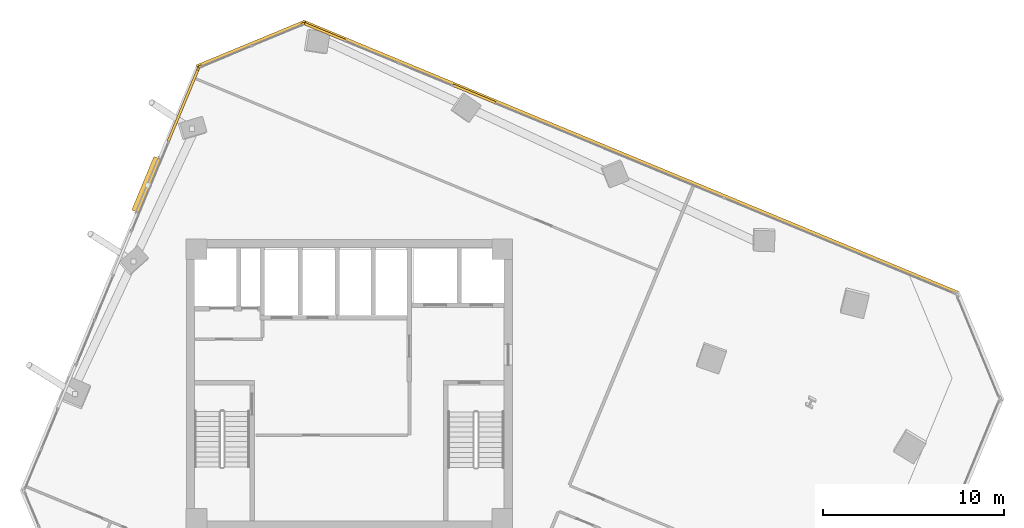
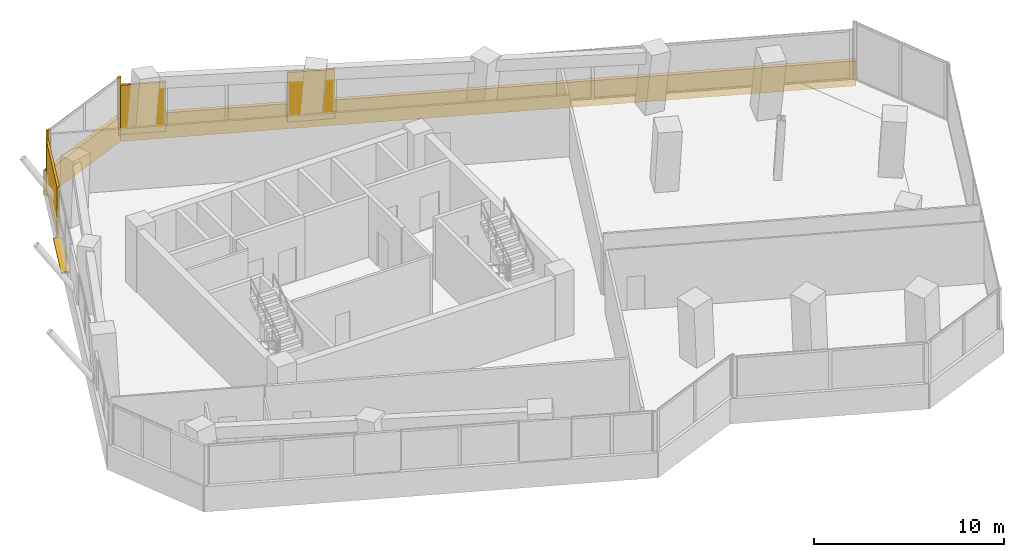
# One storey, part 22 of 22: 8 coverings, 1 shading device.
"""IFC4 building model written with IfcOpenShell, lengths in metres."""

from ifc_helpers import new_model, si_unit, direction, frame, origin, origin_2d, place, context, subcontext, project, spatial, rectangle, extrude, source, transform, mapped, material, layer, layer_set, type_object, element, save


model = new_model("IFC4")

# Units and contexts
model_context = context("Model", 3, precision=1e-05, world=origin(), true_north=direction((0.0, 1.0)))
body_context = subcontext(model_context, "Body", "Model", "MODEL_VIEW")
ifc_project = project(units=[si_unit("LENGTHUNIT", "METRE"), si_unit("AREAUNIT", "SQUARE_METRE"), si_unit("VOLUMEUNIT", "CUBIC_METRE"), si_unit("PLANEANGLEUNIT", "RADIAN"), si_unit("MASSUNIT", "GRAM", prefix="KILO")], contexts=[model_context])

# Site, building, storey
site_placement = place(None, origin())
site = spatial("IfcSite", under=ifc_project, at=site_placement, CompositionType="ELEMENT")
building_placement = place(site_placement, origin())
building = spatial("IfcBuilding", under=site, at=building_placement, Name="Torre Montelarca", CompositionType="ELEMENT")
storey_placement = place(building_placement, frame((0.0, 0.0, 149.800048828125)))
storey = spatial("IfcBuildingStorey", under=building, at=storey_placement, Name="L33", CompositionType="ELEMENT", Elevation=149.800048828125)

# Covering
ifc_material_1 = material(Name="Bush-hammered warm white precast concrete C45/55", Category="concrete")
ifc_layer_1 = layer(ifc_material_1, 0.139892578125, Name="Bush-hammered warm white precast concrete C45/55", Category="concrete")
ifc_layer_set_1 = layer_set([ifc_layer_1], Name="Bush-hammered warm white precast concrete C45/55")
covering_type = type_object("IfcCoveringType", Name="COV-TRAY-CLAD", PredefinedType="CLADDING", material=ifc_layer_set_1)
shared_shape_1 = source(origin(), body_context, "Body", "SweptSolid", [
    extrude(rectangle(XDim=6.48388671875, YDim=0.219970703125, at=origin_2d()), origin(), (0.0, 0.0, 1.0), 1.6201171875),
])
covering_1_placement = place(storey_placement, frame((12.575927734375, 50.77294921875, -0.4501953125), z_axis=(0.0, 0.0, 1.0), x_axis=(-0.923880200418, -0.382681819891, 0.0)))
element("IfcCovering", 1, at=covering_1_placement, inside=storey, type_object=covering_type, Name="L33 Architectural White Spandrel Tray Band TRYBOT-09", PredefinedType="CLADDING", context=body_context, shape_type="MappedRepresentation", body=[
    mapped(shared_shape_1, transform((0.0, 0.0, 0.0), scale=1.0)),
])

# Shading device
ifc_material_2 = material(Name="Anodised champagne bronze aluminium AA 6063-T6", Category="aluminium")
ifc_layer_2 = layer(ifc_material_2, 0.070068359375, Name="Anodised champagne bronze aluminium AA 6063-T6", Category="aluminium")
ifc_layer_set_2 = layer_set([ifc_layer_2], Name="Anodised champagne bronze aluminium AA 6063-T6")
shading_device_type = type_object("IfcShadingDeviceType", Name="SHD-SUNSHADE-1", PredefinedType="USERDEFINED", material=ifc_layer_set_2)
shared_shape_2 = source(origin(), body_context, "Body", "SweptSolid", [
    extrude(rectangle(XDim=3.199951171875, YDim=0.47998046875, at=origin_2d()), origin(), (0.0, 0.0, 1.0), 0.10009765625),
])
shading_device_placement = place(storey_placement, frame((6.814697265625, 43.008056640625, 0.56982421875), z_axis=(0.0, 0.0, 1.0), x_axis=(-0.382680207415, -0.923880868323, 0.0)))
element("IfcShadingDevice", 2, at=shading_device_placement, inside=storey, type_object=shading_device_type, Name="L33 Facade Solar Shading Device E10", ObjectType="SUNSHADE", PredefinedType="USERDEFINED", context=body_context, shape_type="MappedRepresentation", body=[
    mapped(shared_shape_2, transform((0.0, 0.0, 0.0), scale=1.0)),
])

# Coverings
shared_shape_3 = source(origin(), body_context, "Body", "SweptSolid", [
    extrude(rectangle(XDim=0.199951171875, YDim=0.139892578125, at=origin_2d()), origin(), (0.0, 0.0, 1.0), 3.719970703125),
])
for number, where, z_axis, x_axis, name in (
    (3, (15.431640625, 51.890869140625, 0.0), (0.0, 0.0, 1.0), (-0.923879532511, -0.382683432365, 0.0), "L33 Architectural Column Pier Cladding E09-1"),
    (4, (9.76611328125, 49.544189453125, 0.0), (0.0, 0.0, 1.0), (-0.923879532511, -0.382683432365, 0.0), "L33 Architectural Column Pier Cladding E09-2"),
):
    element("IfcCovering", number, at=place(storey_placement, frame(where, z_axis=z_axis, x_axis=x_axis)), inside=storey, type_object=covering_type, Name=name, PredefinedType="CLADDING", context=body_context, shape_type="MappedRepresentation", body=[
        mapped(shared_shape_3, transform((0.0, 0.0, 0.0), scale=1.0)),
    ])
shared_shape_4 = source(origin(), body_context, "Body", "SweptSolid", [
    extrude(rectangle(XDim=39.219970703125, YDim=0.219970703125, at=origin_2d()), origin(), (0.0, 0.0, 1.0), 1.6201171875),
])
covering_2_placement = place(storey_placement, frame((33.5546875, 44.509033203125, -0.4501953125), z_axis=(0.0, 0.0, 1.0), x_axis=(-0.923878864601, 0.382685044838, 0.0)))
element("IfcCovering", 5, at=covering_2_placement, inside=storey, type_object=covering_type, Name="L33 Architectural White Spandrel Tray Band TRYBOT-08", PredefinedType="CLADDING", context=body_context, shape_type="MappedRepresentation", body=[
    mapped(shared_shape_4, transform((0.0, 0.0, 0.0), scale=1.0)),
])
shared_shape_5 = source(origin(), body_context, "Body", "SweptSolid", [
    extrude(rectangle(XDim=0.199951171875, YDim=0.139892578125, at=origin_2d()), origin(), (0.0, 0.0, 1.0), 3.175048828125),
])
covering_3_placement = place(storey_placement, frame((9.66357421875, 49.44140625, 0.0), z_axis=(0.0, 0.0, 1.0), x_axis=(-0.382680207415, -0.923880868323, 0.0)))
element("IfcCovering", 6, at=covering_3_placement, inside=storey, type_object=covering_type, Name="L33 Architectural Column Pier Cladding E10-1", PredefinedType="CLADDING", context=body_context, shape_type="MappedRepresentation", body=[
    mapped(shared_shape_5, transform((0.0, 0.0, 0.0), scale=1.0)),
])
shared_shape_6 = source(origin(), body_context, "Body", "SweptSolid", [
    extrude(rectangle(XDim=2.54296875, YDim=0.139892578125, at=origin_2d()), origin(), (0.0, 0.0, 1.0), 3.175048828125),
])
covering_4_placement = place(storey_placement, frame((24.891357421875, 48.03271484375, 0.0), z_axis=(0.0, 0.0, 1.0), x_axis=(-0.923878864601, 0.382685044838, 0.0)))
element("IfcCovering", 7, at=covering_4_placement, inside=storey, type_object=covering_type, Name="L33 Architectural Column Pier Cladding E08-2", PredefinedType="CLADDING", context=body_context, shape_type="MappedRepresentation", body=[
    mapped(shared_shape_6, transform((0.0, 0.0, 0.0), scale=1.0)),
])
shared_shape_7 = source(origin(), body_context, "Body", "SweptSolid", [
    extrude(rectangle(XDim=2.4619140625, YDim=0.139892578125, at=origin_2d()), origin(), (0.0, 0.0, 1.0), 3.175048828125),
])
covering_5_placement = place(storey_placement, frame((16.62158203125, 51.4580078125, 0.0), z_axis=(0.0, 0.0, 1.0), x_axis=(-0.923878864601, 0.382685044838, 0.0)))
element("IfcCovering", 8, at=covering_5_placement, inside=storey, type_object=covering_type, Name="L33 Architectural Column Pier Cladding E08-3", PredefinedType="CLADDING", context=body_context, shape_type="MappedRepresentation", body=[
    mapped(shared_shape_7, transform((0.0, 0.0, 0.0), scale=1.0)),
])
shared_shape_8 = source(origin(), body_context, "Body", "SweptSolid", [
    extrude(rectangle(XDim=4.3984375, YDim=0.139892578125, at=origin_2d()), origin(), (0.0, 0.0, 1.0), 3.175048828125),
])
covering_6_placement = place(storey_placement, frame((8.822021484375, 47.40966796875, 0.0), z_axis=(0.0, 0.0, 1.0), x_axis=(-0.382680207415, -0.923880868323, 0.0)))
element("IfcCovering", 9, at=covering_6_placement, inside=storey, type_object=covering_type, Name="L33 Architectural Column Pier Cladding E10-2", PredefinedType="CLADDING", context=body_context, shape_type="MappedRepresentation", body=[
    mapped(shared_shape_8, transform((0.0, 0.0, 0.0), scale=1.0)),
])

save(model, "model.ifc")
